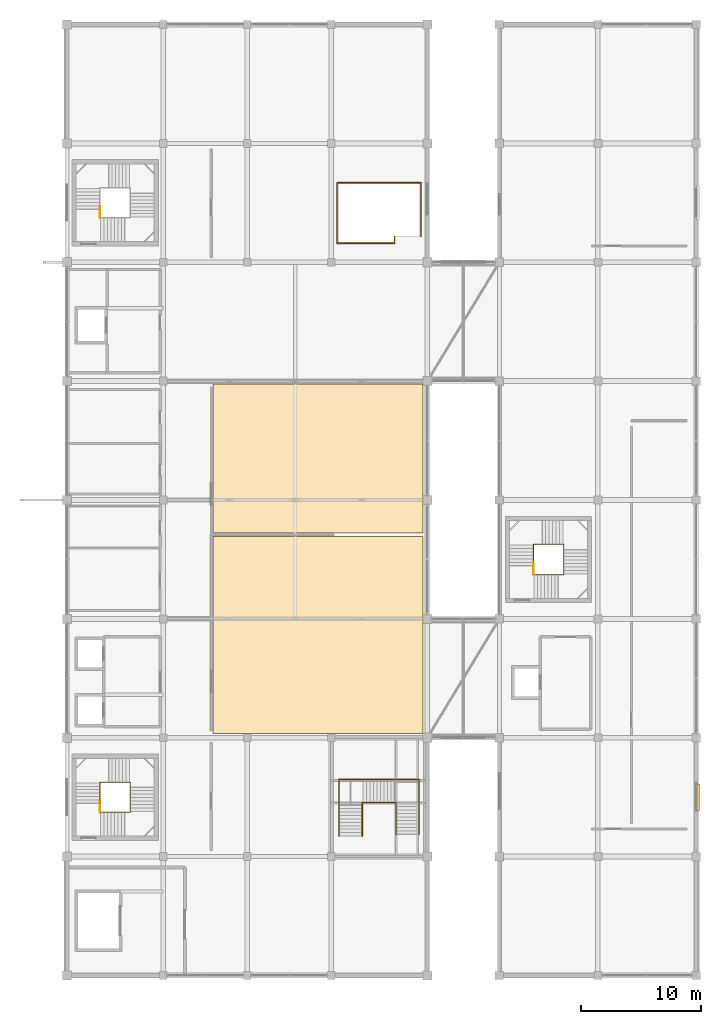
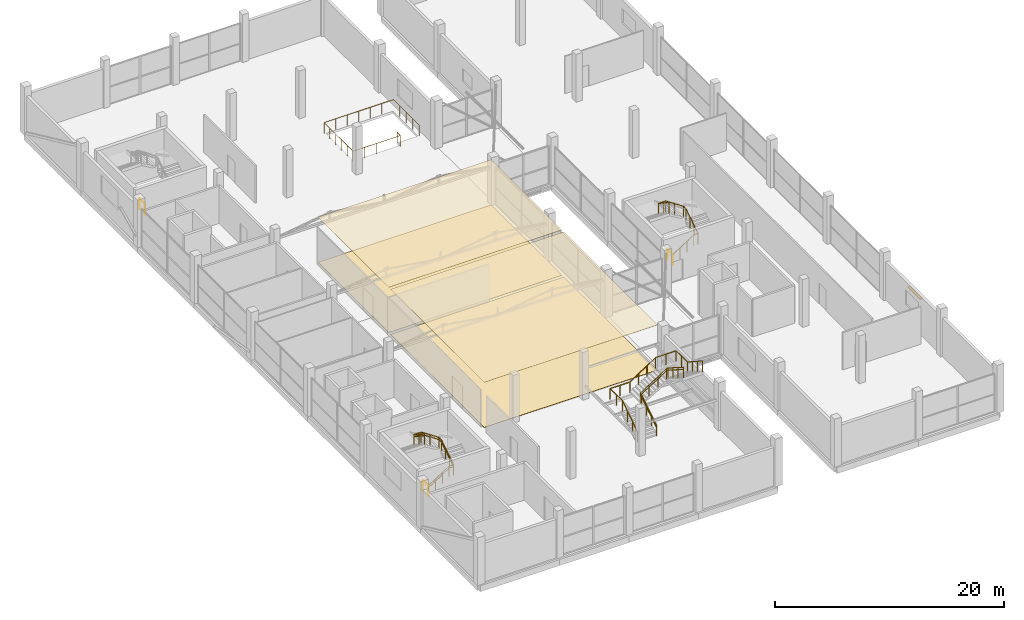
# One storey, part 66 of 67: 10 railings, 4 coverings, 1 shading device.
"""IFC4 building model written with IfcOpenShell, lengths in metres."""

from ifc_helpers import new_model, si_unit, direction, frame, origin, origin_2d, place, context, subcontext, project, spatial, polyline, rectangle, circle, outline, extrude, material, layer, layer_set, type_object, element, save


model = new_model("IFC4")

# Units and contexts
model_context = context("Model", 3, precision=1e-05, world=origin(), true_north=direction((0.0, 1.0)))
body_context = subcontext(model_context, "Body", "Model", "MODEL_VIEW")
ifc_project = project(units=[si_unit("LENGTHUNIT", "METRE"), si_unit("AREAUNIT", "SQUARE_METRE"), si_unit("VOLUMEUNIT", "CUBIC_METRE"), si_unit("PLANEANGLEUNIT", "RADIAN"), si_unit("MASSUNIT", "GRAM", prefix="KILO")], contexts=[model_context])

# Site, building, storey
site_placement = place(None, origin())
site = spatial("IfcSite", under=ifc_project, at=site_placement, CompositionType="ELEMENT")
building_placement = place(site_placement, origin())
building = spatial("IfcBuilding", under=site, at=building_placement, Name="Sillaruma Civic Art Gallery", CompositionType="ELEMENT")
storey_placement = place(building_placement, frame((0.0, 0.0, 46.919921875)))
storey = spatial("IfcBuildingStorey", under=building, at=storey_placement, Name="L09", CompositionType="ELEMENT", Elevation=46.919921875)

# Coverings
ifc_material_1 = material(Name="Gypsum Acoustic Board", Category="gypsum")
ifc_layer_1 = layer(ifc_material_1, 0.030029296875, Name="Gypsum Acoustic Board")
ifc_layer_set_1 = layer_set([ifc_layer_1], Name="Gypsum Acoustic Board")
covering_type_1 = type_object("IfcCoveringType", Name="COV-CLG-30", PredefinedType="CEILING", material=ifc_layer_set_1)
covering_1_placement = place(storey_placement, frame((0.0, 0.0, 4.820068359375)))
element("IfcCovering", 1, at=covering_1_placement, inside=storey, type_object=covering_type_1, Name="Acoustic Gallery Ceiling (L09-GALW1)", PredefinedType="CEILING", context=body_context, shape_type="SweptSolid", body=[
    extrude(outline(polyline([(74.159912109375, 39.9599609375), (91.639892578125, 39.9599609375), (91.639892578125, 56.340087890625), (74.159912109375, 56.340087890625), (74.159912109375, 39.9599609375)])), origin(), (0.0, 0.0, 1.0), 0.030029296875),
])
covering_2_placement = place(storey_placement, frame((0.0, 0.0, 4.820068359375)))
element("IfcCovering", 2, at=covering_2_placement, inside=storey, type_object=covering_type_1, Name="Acoustic Gallery Ceiling (L09-GALW2)", PredefinedType="CEILING", context=body_context, shape_type="SweptSolid", body=[
    extrude(outline(polyline([(74.159912109375, 56.659912109375), (91.639892578125, 56.659912109375), (91.639892578125, 69.0400390625), (74.159912109375, 69.0400390625), (74.159912109375, 56.659912109375)])), origin(), (0.0, 0.0, 1.0), 0.030029296875),
])
ifc_material_2 = material(Name="Polished Terrazzo", Category="masonry")
ifc_layer_2 = layer(ifc_material_2, 0.02490234375, Name="Polished Terrazzo")
ifc_layer_set_2 = layer_set([ifc_layer_2], Name="Polished Terrazzo")
covering_type_2 = type_object("IfcCoveringType", Name="COV-FLR-25", PredefinedType="FLOORING", material=ifc_layer_set_2)
covering_3_placement = place(storey_placement, origin())
element("IfcCovering", 3, at=covering_3_placement, inside=storey, type_object=covering_type_2, Name="Gallery Stone Terrazzo Flooring (L09-GALW2)", PredefinedType="FLOORING", context=body_context, shape_type="SweptSolid", body=[
    extrude(outline(polyline([(74.159912109375, 56.659912109375), (91.639892578125, 56.659912109375), (91.639892578125, 69.0400390625), (74.159912109375, 69.0400390625), (74.159912109375, 56.659912109375)])), origin(), (0.0, 0.0, 1.0), 0.025146484375),
])
ifc_material_3 = material(Name="Basalt Paver Stone", Category="masonry")
ifc_layer_3 = layer(ifc_material_3, 0.034912109375, Name="Basalt Paver Stone")
ifc_layer_set_3 = layer_set([ifc_layer_3], Name="Basalt Paver Stone")
covering_type_3 = type_object("IfcCoveringType", Name="COV-FLR-35", PredefinedType="FLOORING", material=ifc_layer_set_3)
covering_4_placement = place(storey_placement, origin())
element("IfcCovering", 4, at=covering_4_placement, inside=storey, type_object=covering_type_3, Name="Gallery Stone Terrazzo Flooring (L09-GALW1)", PredefinedType="FLOORING", context=body_context, shape_type="SweptSolid", body=[
    extrude(outline(polyline([(74.159912109375, 39.9599609375), (91.639892578125, 39.9599609375), (91.639892578125, 56.340087890625), (74.159912109375, 56.340087890625), (74.159912109375, 39.9599609375)])), origin(), (0.0, 0.0, 1.0), 0.03515625),
])

# Railings
ifc_material_4 = material(Name="Stainless Steel AISI 316", Category="steel")
railing_type_1 = type_object("IfcRailingType", Name="RAL-BAL-1150", PredefinedType="BALUSTRADE", material=ifc_material_4)
for number, where, name in (
    (5, (64.739990234375, 82.889892578125, 0.0), "Stair Floor Edge Guard (ST-02:L09)"),
    (6, (64.739990234375, 33.389892578125, 0.0), "Stair Floor Edge Guard (ST-03:L09)"),
):
    element("IfcRailing", number, at=place(storey_placement, frame(where)), inside=storey, type_object=railing_type_1, Name=name, PredefinedType="BALUSTRADE", context=body_context, shape_type="SweptSolid", body=[
        extrude(circle(Radius=0.02392578125, at=origin_2d()), frame((0.0, 0.0, 1.1259765625), z_axis=(0.0, 1.0, 0.0), x_axis=(-1.0, 0.0, 0.0)), (0.0, 0.0, 1.0), 0.97021484375),
        extrude(circle(Radius=0.02099609375, at=origin_2d()), origin(), (0.0, 0.0, 1.0), 1.101806640625),
        extrude(circle(Radius=0.02099609375, at=origin_2d()), frame((0.0, 0.97021484375, 0.0)), (0.0, 0.0, 1.0), 1.101806640625),
    ])
railing_1_placement = place(storey_placement, frame((64.739990234375, 33.389892578125, 0.0)))
element("IfcRailing", 7, at=railing_1_placement, inside=storey, type_object=railing_type_1, Name="Stair Well Balustrade (ST-03-L09)", PredefinedType="BALUSTRADE", context=body_context, shape_type="SweptSolid", body=[
    extrude(circle(Radius=0.02392578125, at=origin_2d()), frame((0.0, 0.0, 1.1259765625), z_axis=(0.838159424827, 0.0, 0.545425318971), x_axis=(0.0, 1.0, 0.0)), (0.0, 0.0, 1.0), 2.49365234375),
    extrude(circle(Radius=0.02392578125, at=origin_2d()), frame((2.090087890625, 0.0, 2.48583984375), z_axis=(1.0, 0.0, 0.0), x_axis=(0.0, 1.0, 0.0)), (0.0, 0.0, 1.0), 0.429931640625),
    extrude(circle(Radius=0.02392578125, at=origin_2d()), frame((2.52001953125, 0.0, 2.48583984375), z_axis=(0.0, 0.838204181713, 0.545356534534), x_axis=(-1.0, 0.0, 0.0)), (0.0, 0.0, 1.0), 2.49365234375),
    extrude(circle(Radius=0.02392578125, at=origin_2d()), frame((2.52001953125, 2.090087890625, 3.845703125), z_axis=(0.0, 1.0, 0.0), x_axis=(-1.0, 0.0, 0.0)), (0.0, 0.0, 1.0), 0.429931640625),
    extrude(circle(Radius=0.02392578125, at=origin_2d()), frame((2.52001953125, 2.52001953125, 3.845703125), z_axis=(-0.834150363844, 0.0, 0.551537098025), x_axis=(0.0, -1.0, 0.0)), (0.0, 0.0, 1.0), 2.157958984375),
    extrude(circle(Radius=0.02392578125, at=origin_2d()), frame((0.719970703125, 2.52001953125, 5.0361328125), z_axis=(-1.0, 0.0, 0.0), x_axis=(0.0, -1.0, 0.0)), (0.0, 0.0, 1.0), 0.719970703125),
    extrude(circle(Radius=0.02392578125, at=origin_2d()), frame((0.0, 2.52001953125, 5.0361328125), z_axis=(0.0, -0.834168000855, 0.551510422703), x_axis=(1.0, 0.0, 0.0)), (0.0, 0.0, 1.0), 2.15771484375),
    extrude(circle(Radius=0.02099609375, at=origin_2d()), origin(), (0.0, 0.0, 1.0), 1.101806640625),
    extrude(circle(Radius=0.02099609375, at=origin_2d()), frame((0.69677734375, 0.0, 0.453369140625)), (0.0, 0.0, 1.0), 1.101806640625),
    extrude(circle(Radius=0.02099609375, at=origin_2d()), frame((1.393310546875, 0.0, 0.90673828125)), (0.0, 0.0, 1.0), 1.101806640625),
    extrude(circle(Radius=0.02099609375, at=origin_2d()), frame((2.090087890625, 0.0, 1.360107421875)), (0.0, 0.0, 1.0), 1.101806640625),
    extrude(circle(Radius=0.02099609375, at=origin_2d()), frame((2.52001953125, 0.0, 1.360107421875)), (0.0, 0.0, 1.0), 1.101806640625),
    extrude(circle(Radius=0.02099609375, at=origin_2d()), frame((2.52001953125, 0.69677734375, 1.8134765625)), (0.0, 0.0, 1.0), 1.101806640625),
    extrude(circle(Radius=0.02099609375, at=origin_2d()), frame((2.52001953125, 1.393310546875, 2.2666015625)), (0.0, 0.0, 1.0), 1.101806640625),
    extrude(circle(Radius=0.02099609375, at=origin_2d()), frame((2.52001953125, 2.090087890625, 2.719970703125)), (0.0, 0.0, 1.0), 1.101806640625),
    extrude(circle(Radius=0.02099609375, at=origin_2d()), frame((2.52001953125, 2.52001953125, 2.719970703125)), (0.0, 0.0, 1.0), 1.101806640625),
    extrude(circle(Radius=0.02099609375, at=origin_2d()), frame((1.6201171875, 2.52001953125, 3.31494140625)), (0.0, 0.0, 1.0), 1.101806640625),
    extrude(circle(Radius=0.02099609375, at=origin_2d()), frame((0.719970703125, 2.52001953125, 3.91015625)), (0.0, 0.0, 1.0), 1.101806640625),
    extrude(circle(Radius=0.02099609375, at=origin_2d()), frame((0.0, 2.52001953125, 3.91015625)), (0.0, 0.0, 1.0), 1.101806640625),
    extrude(circle(Radius=0.02099609375, at=origin_2d()), frame((0.0, 1.6201171875, 4.505126953125)), (0.0, 0.0, 1.0), 1.101806640625),
    extrude(circle(Radius=0.02099609375, at=origin_2d()), frame((0.0, 0.72021484375, 5.10009765625)), (0.0, 0.0, 1.0), 1.101806640625),
])
railing_2_placement = place(storey_placement, frame((100.840087890625, 53.18994140625, 0.0)))
element("IfcRailing", 8, at=railing_2_placement, inside=storey, type_object=railing_type_1, Name="Stair Floor Edge Guard (ST-04:L09)", PredefinedType="BALUSTRADE", context=body_context, shape_type="SweptSolid", body=[
    extrude(circle(Radius=0.02392578125, at=origin_2d()), frame((0.0, 0.0, 1.1259765625), z_axis=(0.0, 1.0, 0.0), x_axis=(-1.0, 0.0, 0.0)), (0.0, 0.0, 1.0), 0.969970703125),
    extrude(circle(Radius=0.02099609375, at=origin_2d()), origin(), (0.0, 0.0, 1.0), 1.101806640625),
    extrude(circle(Radius=0.02099609375, at=origin_2d()), frame((0.0, 0.969970703125, 0.0)), (0.0, 0.0, 1.0), 1.101806640625),
])
railing_3_placement = place(storey_placement, frame((100.840087890625, 53.18994140625, 0.0)))
element("IfcRailing", 9, at=railing_3_placement, inside=storey, type_object=railing_type_1, Name="Stair Well Balustrade (ST-04-L09)", PredefinedType="BALUSTRADE", context=body_context, shape_type="SweptSolid", body=[
    extrude(circle(Radius=0.02392578125, at=origin_2d()), frame((0.0, 0.0, 1.1259765625), z_axis=(0.838130295786, 0.0, 0.545470079185), x_axis=(0.0, 1.0, 0.0)), (0.0, 0.0, 1.0), 2.493408203125),
    extrude(circle(Radius=0.02392578125, at=origin_2d()), frame((2.08984375, 0.0, 2.48583984375), z_axis=(1.0, 0.0, 0.0), x_axis=(0.0, 1.0, 0.0)), (0.0, 0.0, 1.0), 0.43017578125),
    extrude(circle(Radius=0.02392578125, at=origin_2d()), frame((2.52001953125, 0.0, 2.48583984375), z_axis=(0.0, 0.838204181713, 0.545356534534), x_axis=(-1.0, 0.0, 0.0)), (0.0, 0.0, 1.0), 2.49365234375),
    extrude(circle(Radius=0.02392578125, at=origin_2d()), frame((2.52001953125, 2.090087890625, 3.845703125), z_axis=(0.0, 1.0, 0.0), x_axis=(-1.0, 0.0, 0.0)), (0.0, 0.0, 1.0), 0.429931640625),
    extrude(circle(Radius=0.02392578125, at=origin_2d()), frame((2.52001953125, 2.52001953125, 3.845703125), z_axis=(-0.834150363844, 0.0, 0.551537098025), x_axis=(0.0, -1.0, 0.0)), (0.0, 0.0, 1.0), 2.157958984375),
    extrude(circle(Radius=0.02392578125, at=origin_2d()), frame((0.719970703125, 2.52001953125, 5.0361328125), z_axis=(-1.0, 0.0, 0.0), x_axis=(0.0, -1.0, 0.0)), (0.0, 0.0, 1.0), 0.719970703125),
    extrude(circle(Radius=0.02392578125, at=origin_2d()), frame((0.0, 2.52001953125, 5.0361328125), z_axis=(0.0, -0.834202413191, 0.551458369984), x_axis=(1.0, 0.0, 0.0)), (0.0, 0.0, 1.0), 2.15771484375),
    extrude(circle(Radius=0.02099609375, at=origin_2d()), origin(), (0.0, 0.0, 1.0), 1.101806640625),
    extrude(circle(Radius=0.02099609375, at=origin_2d()), frame((0.696533203125, 0.0, 0.453369140625)), (0.0, 0.0, 1.0), 1.101806640625),
    extrude(circle(Radius=0.02099609375, at=origin_2d()), frame((1.393310546875, 0.0, 0.90673828125)), (0.0, 0.0, 1.0), 1.101806640625),
    extrude(circle(Radius=0.02099609375, at=origin_2d()), frame((2.08984375, 0.0, 1.360107421875)), (0.0, 0.0, 1.0), 1.101806640625),
    extrude(circle(Radius=0.02099609375, at=origin_2d()), frame((2.52001953125, 0.0, 1.360107421875)), (0.0, 0.0, 1.0), 1.101806640625),
    extrude(circle(Radius=0.02099609375, at=origin_2d()), frame((2.52001953125, 0.69677734375, 1.8134765625)), (0.0, 0.0, 1.0), 1.101806640625),
    extrude(circle(Radius=0.02099609375, at=origin_2d()), frame((2.52001953125, 1.393310546875, 2.2666015625)), (0.0, 0.0, 1.0), 1.101806640625),
    extrude(circle(Radius=0.02099609375, at=origin_2d()), frame((2.52001953125, 2.090087890625, 2.719970703125)), (0.0, 0.0, 1.0), 1.101806640625),
    extrude(circle(Radius=0.02099609375, at=origin_2d()), frame((2.52001953125, 2.52001953125, 2.719970703125)), (0.0, 0.0, 1.0), 1.101806640625),
    extrude(circle(Radius=0.02099609375, at=origin_2d()), frame((1.6201171875, 2.52001953125, 3.31494140625)), (0.0, 0.0, 1.0), 1.101806640625),
    extrude(circle(Radius=0.02099609375, at=origin_2d()), frame((0.719970703125, 2.52001953125, 3.91015625)), (0.0, 0.0, 1.0), 1.101806640625),
    extrude(circle(Radius=0.02099609375, at=origin_2d()), frame((0.0, 2.52001953125, 3.91015625)), (0.0, 0.0, 1.0), 1.101806640625),
    extrude(circle(Radius=0.02099609375, at=origin_2d()), frame((0.0, 1.6201171875, 4.505126953125)), (0.0, 0.0, 1.0), 1.101806640625),
    extrude(circle(Radius=0.02099609375, at=origin_2d()), frame((0.0, 0.719970703125, 5.10009765625)), (0.0, 0.0, 1.0), 1.101806640625),
])
railing_4_placement = place(storey_placement, frame((89.260009765625, 81.340087890625, 0.0)))
element("IfcRailing", 10, at=railing_4_placement, inside=storey, type_object=railing_type_1, Name="Feature Stair Arrival Well Balustrade (ST-G05)", PredefinedType="BALUSTRADE", context=body_context, shape_type="SweptSolid", body=[
    extrude(circle(Radius=0.02392578125, at=origin_2d()), frame((0.0, 0.0, 1.1259765625), z_axis=(0.0, -1.0, 0.0), x_axis=(1.0, 0.0, 0.0)), (0.0, 0.0, 1.0), 0.56005859375),
    extrude(circle(Radius=0.02392578125, at=origin_2d()), frame((0.0, -0.56005859375, 1.1259765625), z_axis=(-1.0, 0.0, 0.0), x_axis=(0.0, -1.0, 0.0)), (0.0, 0.0, 1.0), 4.780029296875),
    extrude(circle(Radius=0.02392578125, at=origin_2d()), frame((-4.780029296875, -0.56005859375, 1.1259765625), z_axis=(0.0, 1.0, 0.0), x_axis=(-1.0, 0.0, 0.0)), (0.0, 0.0, 1.0), 5.0400390625),
    extrude(circle(Radius=0.02392578125, at=origin_2d()), frame((-4.780029296875, 4.47998046875, 1.1259765625), z_axis=(1.0, 0.0, 0.0), x_axis=(0.0, 1.0, 0.0)), (0.0, 0.0, 1.0), 7.0),
    extrude(circle(Radius=0.02392578125, at=origin_2d()), frame((2.219970703125, 4.47998046875, 1.1259765625), z_axis=(0.0, -1.0, 0.0), x_axis=(1.0, 0.0, 0.0)), (0.0, 0.0, 1.0), 4.47998046875),
    extrude(circle(Radius=0.02099609375, at=origin_2d()), origin(), (0.0, 0.0, 1.0), 1.101806640625),
    extrude(circle(Radius=0.02099609375, at=origin_2d()), frame((0.0, -0.56005859375, 0.0)), (0.0, 0.0, 1.0), 1.101806640625),
    extrude(circle(Radius=0.02099609375, at=origin_2d()), frame((-1.195068359375, -0.56005859375, 0.0)), (0.0, 0.0, 1.0), 1.101806640625),
    extrude(circle(Radius=0.02099609375, at=origin_2d()), frame((-2.39013671875, -0.56005859375, 0.0)), (0.0, 0.0, 1.0), 1.101806640625),
    extrude(circle(Radius=0.02099609375, at=origin_2d()), frame((-3.5849609375, -0.56005859375, 0.0)), (0.0, 0.0, 1.0), 1.101806640625),
    extrude(circle(Radius=0.02099609375, at=origin_2d()), frame((-4.780029296875, -0.56005859375, 0.0)), (0.0, 0.0, 1.0), 1.101806640625),
    extrude(circle(Radius=0.02099609375, at=origin_2d()), frame((-4.780029296875, 0.447998046875, 0.0)), (0.0, 0.0, 1.0), 1.101806640625),
    extrude(circle(Radius=0.02099609375, at=origin_2d()), frame((-4.780029296875, 1.4560546875, 0.0)), (0.0, 0.0, 1.0), 1.101806640625),
    extrude(circle(Radius=0.02099609375, at=origin_2d()), frame((-4.780029296875, 2.4638671875, 0.0)), (0.0, 0.0, 1.0), 1.101806640625),
    extrude(circle(Radius=0.02099609375, at=origin_2d()), frame((-4.780029296875, 3.471923828125, 0.0)), (0.0, 0.0, 1.0), 1.101806640625),
    extrude(circle(Radius=0.02099609375, at=origin_2d()), frame((-4.780029296875, 4.47998046875, 0.0)), (0.0, 0.0, 1.0), 1.101806640625),
    extrude(circle(Radius=0.02099609375, at=origin_2d()), frame((-3.61328125, 4.47998046875, 0.0)), (0.0, 0.0, 1.0), 1.101806640625),
    extrude(circle(Radius=0.02099609375, at=origin_2d()), frame((-2.44677734375, 4.47998046875, 0.0)), (0.0, 0.0, 1.0), 1.101806640625),
    extrude(circle(Radius=0.02099609375, at=origin_2d()), frame((-1.280029296875, 4.47998046875, 0.0)), (0.0, 0.0, 1.0), 1.101806640625),
    extrude(circle(Radius=0.02099609375, at=origin_2d()), frame((-0.11328125, 4.47998046875, 0.0)), (0.0, 0.0, 1.0), 1.101806640625),
    extrude(circle(Radius=0.02099609375, at=origin_2d()), frame((1.05322265625, 4.47998046875, 0.0)), (0.0, 0.0, 1.0), 1.101806640625),
    extrude(circle(Radius=0.02099609375, at=origin_2d()), frame((2.219970703125, 4.47998046875, 0.0)), (0.0, 0.0, 1.0), 1.101806640625),
    extrude(circle(Radius=0.02099609375, at=origin_2d()), frame((2.219970703125, 3.35986328125, 0.0)), (0.0, 0.0, 1.0), 1.101806640625),
    extrude(circle(Radius=0.02099609375, at=origin_2d()), frame((2.219970703125, 2.239990234375, 0.0)), (0.0, 0.0, 1.0), 1.101806640625),
    extrude(circle(Radius=0.02099609375, at=origin_2d()), frame((2.219970703125, 1.1201171875, 0.0)), (0.0, 0.0, 1.0), 1.101806640625),
    extrude(circle(Radius=0.02099609375, at=origin_2d()), frame((2.219970703125, 0.0, 0.0)), (0.0, 0.0, 1.0), 1.101806640625),
])
railing_5_placement = place(storey_placement, frame((86.580078125, 31.39990234375, 0.0)))
element("IfcRailing", 11, at=railing_5_placement, inside=storey, type_object=railing_type_1, Name="Feature Stair Inner Guard (ST-G06)", PredefinedType="BALUSTRADE", context=body_context, shape_type="SweptSolid", body=[
    extrude(circle(Radius=0.02392578125, at=origin_2d()), frame((0.0, 0.0, 1.1259765625), z_axis=(0.0, 0.83791139386, 0.545806280689), x_axis=(-1.0, 0.0, 0.0)), (0.0, 0.0, 1.0), 3.114990234375),
    extrude(circle(Radius=0.02392578125, at=origin_2d()), frame((0.0, 2.610107421875, 2.826171875), z_axis=(0.0, 1.0, 0.0), x_axis=(-1.0, 0.0, 0.0)), (0.0, 0.0, 1.0), 0.2099609375),
    extrude(circle(Radius=0.02392578125, at=origin_2d()), frame((0.0, 2.820068359375, 2.826171875), z_axis=(0.843531243528, 0.0, 0.537080106866), x_axis=(0.0, 1.0, 0.0)), (0.0, 0.0, 1.0), 3.165283203125),
    extrude(circle(Radius=0.02392578125, at=origin_2d()), frame((2.669921875, 2.820068359375, 4.52587890625), z_axis=(1.0, 0.0, 0.0), x_axis=(0.0, 1.0, 0.0)), (0.0, 0.0, 1.0), 0.1298828125),
    extrude(circle(Radius=0.02392578125, at=origin_2d()), frame((2.7998046875, 2.820068359375, 4.52587890625), z_axis=(0.0, -0.843531243528, 0.537080106866), x_axis=(1.0, 0.0, 0.0)), (0.0, 0.0, 1.0), 3.165283203125),
    extrude(circle(Radius=0.02099609375, at=origin_2d()), origin(), (0.0, 0.0, 1.0), 1.101806640625),
    extrude(circle(Radius=0.02099609375, at=origin_2d()), frame((0.0, 0.8701171875, 0.566650390625)), (0.0, 0.0, 1.0), 1.101806640625),
    extrude(circle(Radius=0.02099609375, at=origin_2d()), frame((0.0, 1.739990234375, 1.133544921875)), (0.0, 0.0, 1.0), 1.101806640625),
    extrude(circle(Radius=0.02099609375, at=origin_2d()), frame((0.0, 2.610107421875, 1.7001953125)), (0.0, 0.0, 1.0), 1.101806640625),
    extrude(circle(Radius=0.02099609375, at=origin_2d()), frame((0.0, 2.820068359375, 1.7001953125)), (0.0, 0.0, 1.0), 1.101806640625),
    extrude(circle(Radius=0.02099609375, at=origin_2d()), frame((0.889892578125, 2.820068359375, 2.266845703125)), (0.0, 0.0, 1.0), 1.101806640625),
    extrude(circle(Radius=0.02099609375, at=origin_2d()), frame((1.780029296875, 2.820068359375, 2.83349609375)), (0.0, 0.0, 1.0), 1.101806640625),
    extrude(circle(Radius=0.02099609375, at=origin_2d()), frame((2.669921875, 2.820068359375, 3.400146484375)), (0.0, 0.0, 1.0), 1.101806640625),
    extrude(circle(Radius=0.02099609375, at=origin_2d()), frame((2.7998046875, 2.820068359375, 3.400146484375)), (0.0, 0.0, 1.0), 1.101806640625),
    extrude(circle(Radius=0.02099609375, at=origin_2d()), frame((2.7998046875, 1.93017578125, 3.966796875)), (0.0, 0.0, 1.0), 1.101806640625),
    extrude(circle(Radius=0.02099609375, at=origin_2d()), frame((2.7998046875, 1.0400390625, 4.533447265625)), (0.0, 0.0, 1.0), 1.101806640625),
    extrude(circle(Radius=0.02099609375, at=origin_2d()), frame((2.7998046875, 0.150146484375, 5.10009765625)), (0.0, 0.0, 1.0), 1.101806640625),
])
railing_6_placement = place(storey_placement, frame((84.659912109375, 31.39990234375, 0.0)))
element("IfcRailing", 12, at=railing_6_placement, inside=storey, type_object=railing_type_1, Name="Feature Stair Outer Guard (ST-G06)", PredefinedType="BALUSTRADE", context=body_context, shape_type="SweptSolid", body=[
    extrude(circle(Radius=0.02392578125, at=origin_2d()), frame((0.0, 0.0, 1.1259765625), z_axis=(0.0, 0.83791139386, 0.545806280689), x_axis=(-1.0, 0.0, 0.0)), (0.0, 0.0, 1.0), 3.114990234375),
    extrude(circle(Radius=0.02392578125, at=origin_2d()), frame((0.0, 2.610107421875, 2.826171875), z_axis=(0.0, 1.0, 0.0), x_axis=(-1.0, 0.0, 0.0)), (0.0, 0.0, 1.0), 2.1298828125),
    extrude(circle(Radius=0.02392578125, at=origin_2d()), frame((0.0, 4.739990234375, 2.826171875), z_axis=(1.0, 0.0, 0.0), x_axis=(0.0, 1.0, 0.0)), (0.0, 0.0, 1.0), 1.97998046875),
    extrude(circle(Radius=0.02392578125, at=origin_2d()), frame((1.97998046875, 4.739990234375, 2.826171875), z_axis=(0.83794723758, 0.0, 0.545751250142), x_axis=(0.0, 1.0, 0.0)), (0.0, 0.0, 1.0), 3.114990234375),
    extrude(circle(Radius=0.02392578125, at=origin_2d()), frame((4.590087890625, 4.739990234375, 4.52587890625), z_axis=(1.0, 0.0, 0.0), x_axis=(0.0, 1.0, 0.0)), (0.0, 0.0, 1.0), 2.050048828125),
    extrude(circle(Radius=0.02392578125, at=origin_2d()), frame((6.64013671875, 4.739990234375, 4.52587890625), z_axis=(0.0, -1.0, 0.0), x_axis=(1.0, 0.0, 0.0)), (0.0, 0.0, 1.0), 1.97998046875),
    extrude(circle(Radius=0.02392578125, at=origin_2d()), frame((6.64013671875, 2.760009765625, 4.52587890625), z_axis=(0.0, -0.837923890606, 0.545787095443), x_axis=(1.0, 0.0, 0.0)), (0.0, 0.0, 1.0), 3.11474609375),
    extrude(circle(Radius=0.02099609375, at=origin_2d()), origin(), (0.0, 0.0, 1.0), 1.101806640625),
    extrude(circle(Radius=0.02099609375, at=origin_2d()), frame((0.0, 0.8701171875, 0.566650390625)), (0.0, 0.0, 1.0), 1.101806640625),
    extrude(circle(Radius=0.02099609375, at=origin_2d()), frame((0.0, 1.739990234375, 1.133544921875)), (0.0, 0.0, 1.0), 1.101806640625),
    extrude(circle(Radius=0.02099609375, at=origin_2d()), frame((0.0, 2.610107421875, 1.7001953125)), (0.0, 0.0, 1.0), 1.101806640625),
    extrude(circle(Radius=0.02099609375, at=origin_2d()), frame((0.0, 3.675048828125, 1.7001953125)), (0.0, 0.0, 1.0), 1.101806640625),
    extrude(circle(Radius=0.02099609375, at=origin_2d()), frame((0.0, 4.739990234375, 1.7001953125)), (0.0, 0.0, 1.0), 1.101806640625),
    extrude(circle(Radius=0.02099609375, at=origin_2d()), frame((0.989990234375, 4.739990234375, 1.7001953125)), (0.0, 0.0, 1.0), 1.101806640625),
    extrude(circle(Radius=0.02099609375, at=origin_2d()), frame((1.97998046875, 4.739990234375, 1.7001953125)), (0.0, 0.0, 1.0), 1.101806640625),
    extrude(circle(Radius=0.02099609375, at=origin_2d()), frame((2.85009765625, 4.739990234375, 2.266845703125)), (0.0, 0.0, 1.0), 1.101806640625),
    extrude(circle(Radius=0.02099609375, at=origin_2d()), frame((3.719970703125, 4.739990234375, 2.83349609375)), (0.0, 0.0, 1.0), 1.101806640625),
    extrude(circle(Radius=0.02099609375, at=origin_2d()), frame((4.590087890625, 4.739990234375, 3.400146484375)), (0.0, 0.0, 1.0), 1.101806640625),
    extrude(circle(Radius=0.02099609375, at=origin_2d()), frame((5.615234375, 4.739990234375, 3.400146484375)), (0.0, 0.0, 1.0), 1.101806640625),
    extrude(circle(Radius=0.02099609375, at=origin_2d()), frame((6.64013671875, 4.739990234375, 3.400146484375)), (0.0, 0.0, 1.0), 1.101806640625),
    extrude(circle(Radius=0.02099609375, at=origin_2d()), frame((6.64013671875, 3.75, 3.400146484375)), (0.0, 0.0, 1.0), 1.101806640625),
    extrude(circle(Radius=0.02099609375, at=origin_2d()), frame((6.64013671875, 2.760009765625, 3.400146484375)), (0.0, 0.0, 1.0), 1.101806640625),
    extrude(circle(Radius=0.02099609375, at=origin_2d()), frame((6.64013671875, 1.89013671875, 3.966796875)), (0.0, 0.0, 1.0), 1.101806640625),
    extrude(circle(Radius=0.02099609375, at=origin_2d()), frame((6.64013671875, 1.02001953125, 4.533447265625)), (0.0, 0.0, 1.0), 1.101806640625),
    extrude(circle(Radius=0.02099609375, at=origin_2d()), frame((6.64013671875, 0.150146484375, 5.10009765625)), (0.0, 0.0, 1.0), 1.101806640625),
])
railing_type_2 = type_object("IfcRailingType", Name="RAL-HND-920", PredefinedType="HANDRAIL", material=ifc_material_4)
railing_7_placement = place(storey_placement, frame((64.739990234375, 33.389892578125, 0.0)))
element("IfcRailing", 13, at=railing_7_placement, inside=storey, type_object=railing_type_2, Name="Stair Continuous Handrail (ST-03-L09)", PredefinedType="HANDRAIL", context=body_context, shape_type="SweptSolid", body=[
    extrude(circle(Radius=0.02392578125, at=origin_2d()), frame((0.0, 0.0, 0.89599609375), z_axis=(0.838159424827, 0.0, 0.545425318971), x_axis=(0.0, 1.0, 0.0)), (0.0, 0.0, 1.0), 2.49365234375),
    extrude(circle(Radius=0.02392578125, at=origin_2d()), frame((2.090087890625, 0.0, 2.255859375), z_axis=(1.0, 0.0, 0.0), x_axis=(0.0, 1.0, 0.0)), (0.0, 0.0, 1.0), 0.429931640625),
    extrude(circle(Radius=0.02392578125, at=origin_2d()), frame((2.52001953125, 0.0, 2.255859375), z_axis=(0.0, 0.838204181713, 0.545356534534), x_axis=(-1.0, 0.0, 0.0)), (0.0, 0.0, 1.0), 2.49365234375),
    extrude(circle(Radius=0.02392578125, at=origin_2d()), frame((2.52001953125, 2.090087890625, 3.61572265625), z_axis=(0.0, 1.0, 0.0), x_axis=(-1.0, 0.0, 0.0)), (0.0, 0.0, 1.0), 0.429931640625),
    extrude(circle(Radius=0.02392578125, at=origin_2d()), frame((2.52001953125, 2.52001953125, 3.61572265625), z_axis=(-0.834150363844, 0.0, 0.551537098025), x_axis=(0.0, -1.0, 0.0)), (0.0, 0.0, 1.0), 2.157958984375),
    extrude(circle(Radius=0.02392578125, at=origin_2d()), frame((0.719970703125, 2.52001953125, 4.80615234375), z_axis=(-1.0, 0.0, 0.0), x_axis=(0.0, -1.0, 0.0)), (0.0, 0.0, 1.0), 0.719970703125),
    extrude(circle(Radius=0.02392578125, at=origin_2d()), frame((0.0, 2.52001953125, 4.80615234375), z_axis=(0.0, -0.834168000855, 0.551510422703), x_axis=(1.0, 0.0, 0.0)), (0.0, 0.0, 1.0), 2.15771484375),
    extrude(circle(Radius=0.02099609375, at=origin_2d()), origin(), (0.0, 0.0, 1.0), 0.871826171875),
    extrude(circle(Radius=0.02099609375, at=origin_2d()), frame((0.69677734375, 0.0, 0.453369140625)), (0.0, 0.0, 1.0), 0.871826171875),
    extrude(circle(Radius=0.02099609375, at=origin_2d()), frame((1.393310546875, 0.0, 0.90673828125)), (0.0, 0.0, 1.0), 0.871826171875),
    extrude(circle(Radius=0.02099609375, at=origin_2d()), frame((2.090087890625, 0.0, 1.360107421875)), (0.0, 0.0, 1.0), 0.871826171875),
    extrude(circle(Radius=0.02099609375, at=origin_2d()), frame((2.52001953125, 0.0, 1.360107421875)), (0.0, 0.0, 1.0), 0.871826171875),
    extrude(circle(Radius=0.02099609375, at=origin_2d()), frame((2.52001953125, 0.69677734375, 1.8134765625)), (0.0, 0.0, 1.0), 0.871826171875),
    extrude(circle(Radius=0.02099609375, at=origin_2d()), frame((2.52001953125, 1.393310546875, 2.2666015625)), (0.0, 0.0, 1.0), 0.871826171875),
    extrude(circle(Radius=0.02099609375, at=origin_2d()), frame((2.52001953125, 2.090087890625, 2.719970703125)), (0.0, 0.0, 1.0), 0.871826171875),
    extrude(circle(Radius=0.02099609375, at=origin_2d()), frame((2.52001953125, 2.52001953125, 2.719970703125)), (0.0, 0.0, 1.0), 0.871826171875),
    extrude(circle(Radius=0.02099609375, at=origin_2d()), frame((1.6201171875, 2.52001953125, 3.31494140625)), (0.0, 0.0, 1.0), 0.871826171875),
    extrude(circle(Radius=0.02099609375, at=origin_2d()), frame((0.719970703125, 2.52001953125, 3.91015625)), (0.0, 0.0, 1.0), 0.871826171875),
    extrude(circle(Radius=0.02099609375, at=origin_2d()), frame((0.0, 2.52001953125, 3.91015625)), (0.0, 0.0, 1.0), 0.871826171875),
    extrude(circle(Radius=0.02099609375, at=origin_2d()), frame((0.0, 1.6201171875, 4.505126953125)), (0.0, 0.0, 1.0), 0.871826171875),
    extrude(circle(Radius=0.02099609375, at=origin_2d()), frame((0.0, 0.72021484375, 5.10009765625)), (0.0, 0.0, 1.0), 0.871826171875),
])
railing_8_placement = place(storey_placement, frame((86.580078125, 31.39990234375, 0.0)))
element("IfcRailing", 14, at=railing_8_placement, inside=storey, type_object=railing_type_2, Name="Feature Stair Handrail (ST-G06)", PredefinedType="HANDRAIL", context=body_context, shape_type="SweptSolid", body=[
    extrude(circle(Radius=0.02392578125, at=origin_2d()), frame((0.0, 0.0, 0.89599609375), z_axis=(0.0, 0.83791139386, 0.545806280689), x_axis=(-1.0, 0.0, 0.0)), (0.0, 0.0, 1.0), 3.114990234375),
    extrude(circle(Radius=0.02392578125, at=origin_2d()), frame((0.0, 2.610107421875, 2.59619140625), z_axis=(0.0, 1.0, 0.0), x_axis=(-1.0, 0.0, 0.0)), (0.0, 0.0, 1.0), 0.2099609375),
    extrude(circle(Radius=0.02392578125, at=origin_2d()), frame((0.0, 2.820068359375, 2.59619140625), z_axis=(0.843531243528, 0.0, 0.537080106866), x_axis=(0.0, 1.0, 0.0)), (0.0, 0.0, 1.0), 3.165283203125),
    extrude(circle(Radius=0.02392578125, at=origin_2d()), frame((2.669921875, 2.820068359375, 4.2958984375), z_axis=(1.0, 0.0, 0.0), x_axis=(0.0, 1.0, 0.0)), (0.0, 0.0, 1.0), 0.1298828125),
    extrude(circle(Radius=0.02392578125, at=origin_2d()), frame((2.7998046875, 2.820068359375, 4.2958984375), z_axis=(0.0, -0.843531243528, 0.537080106866), x_axis=(1.0, 0.0, 0.0)), (0.0, 0.0, 1.0), 3.165283203125),
    extrude(circle(Radius=0.02099609375, at=origin_2d()), origin(), (0.0, 0.0, 1.0), 0.871826171875),
    extrude(circle(Radius=0.02099609375, at=origin_2d()), frame((0.0, 0.8701171875, 0.566650390625)), (0.0, 0.0, 1.0), 0.871826171875),
    extrude(circle(Radius=0.02099609375, at=origin_2d()), frame((0.0, 1.739990234375, 1.133544921875)), (0.0, 0.0, 1.0), 0.871826171875),
    extrude(circle(Radius=0.02099609375, at=origin_2d()), frame((0.0, 2.610107421875, 1.7001953125)), (0.0, 0.0, 1.0), 0.871826171875),
    extrude(circle(Radius=0.02099609375, at=origin_2d()), frame((0.0, 2.820068359375, 1.7001953125)), (0.0, 0.0, 1.0), 0.871826171875),
    extrude(circle(Radius=0.02099609375, at=origin_2d()), frame((0.889892578125, 2.820068359375, 2.266845703125)), (0.0, 0.0, 1.0), 0.871826171875),
    extrude(circle(Radius=0.02099609375, at=origin_2d()), frame((1.780029296875, 2.820068359375, 2.83349609375)), (0.0, 0.0, 1.0), 0.871826171875),
    extrude(circle(Radius=0.02099609375, at=origin_2d()), frame((2.669921875, 2.820068359375, 3.400146484375)), (0.0, 0.0, 1.0), 0.871826171875),
    extrude(circle(Radius=0.02099609375, at=origin_2d()), frame((2.7998046875, 2.820068359375, 3.400146484375)), (0.0, 0.0, 1.0), 0.871826171875),
    extrude(circle(Radius=0.02099609375, at=origin_2d()), frame((2.7998046875, 1.93017578125, 3.966796875)), (0.0, 0.0, 1.0), 0.871826171875),
    extrude(circle(Radius=0.02099609375, at=origin_2d()), frame((2.7998046875, 1.0400390625, 4.533447265625)), (0.0, 0.0, 1.0), 0.871826171875),
    extrude(circle(Radius=0.02099609375, at=origin_2d()), frame((2.7998046875, 0.150146484375, 5.10009765625)), (0.0, 0.0, 1.0), 0.871826171875),
])

# Shading device
ifc_material_5 = material(Name="Anodised Extruded Aluminium 6063-T6", Category="aluminium")
shading_device_type = type_object("IfcShadingDeviceType", Name="SHD-LOU-03", PredefinedType="USERDEFINED", material=ifc_material_5)
shading_device_placement = place(storey_placement, frame((114.5400390625, 34.64990234375, 3.42529296875), z_axis=(0.0, 0.0, 1.0), x_axis=(0.0, 1.0, 0.0)))
element("IfcShadingDevice", 15, at=shading_device_placement, inside=storey, type_object=shading_device_type, Name="Studio Solar Louvre Baffle (L09-2)", ObjectType="LOUVRE", PredefinedType="USERDEFINED", context=body_context, shape_type="SweptSolid", body=[
    extrude(rectangle(XDim=2.199951171875, YDim=0.219970703125, at=origin_2d()), origin(), (0.0, 0.0, 1.0), 0.050048828125),
])

save(model, "model.ifc")
